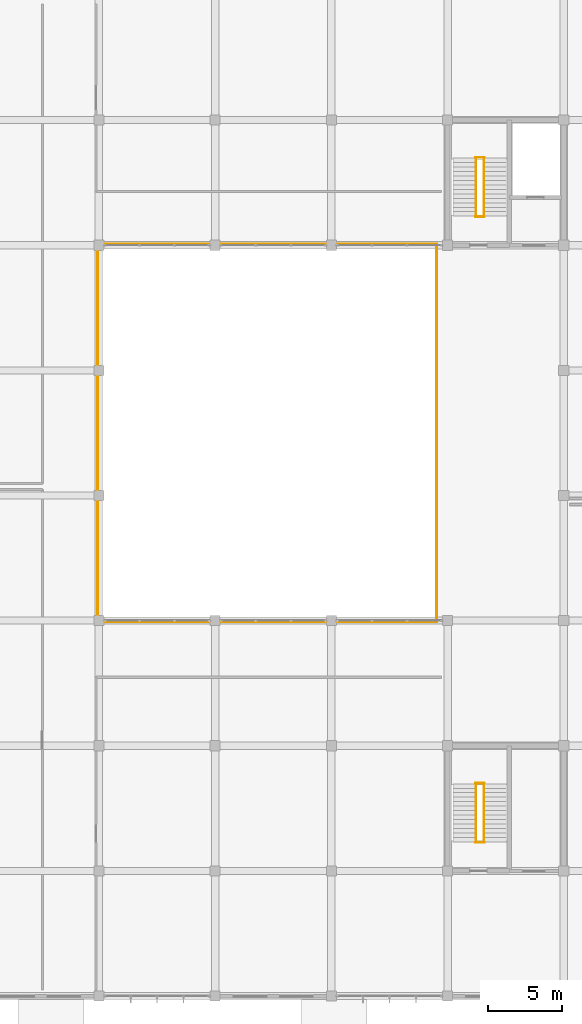
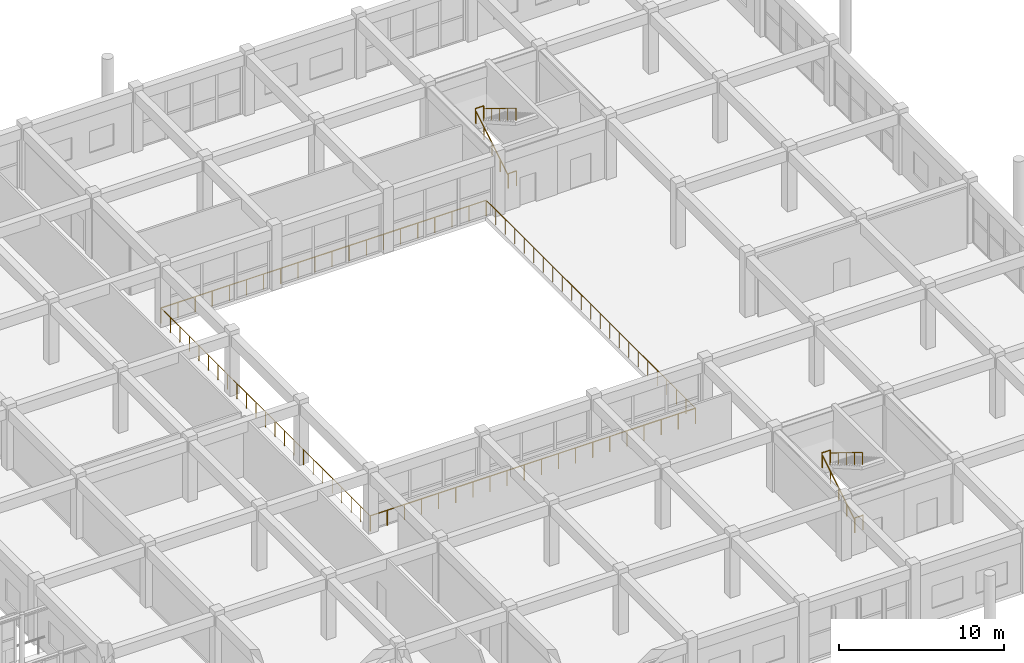
# One storey, part 175 of 175: 12 railings.
"""IFC4 building model written with IfcOpenShell, lengths in metres."""

from ifc_helpers import new_model, si_unit, direction, frame, origin, origin_2d, place, context, subcontext, project, spatial, hollow_rectangle, circle, hollow_circle, extrude, material, material_profile, profile_set, type_object, element, save


model = new_model("IFC4")

# Units and contexts
model_context = context("Model", 3, precision=1e-05, world=origin(), true_north=direction((0.0, 1.0)))
body_context = subcontext(model_context, "Body", "Model", "MODEL_VIEW")
ifc_project = project(units=[si_unit("LENGTHUNIT", "METRE"), si_unit("AREAUNIT", "SQUARE_METRE"), si_unit("VOLUMEUNIT", "CUBIC_METRE"), si_unit("PLANEANGLEUNIT", "RADIAN"), si_unit("MASSUNIT", "GRAM", prefix="KILO")], contexts=[model_context])

# Site, building, storey
site_placement = place(None, origin())
site = spatial("IfcSite", under=ifc_project, at=site_placement, CompositionType="ELEMENT")
building_placement = place(site_placement, origin())
building = spatial("IfcBuilding", under=site, at=building_placement, Name="Zizhar Promenade General Hospital", CompositionType="ELEMENT")
storey_placement = place(building_placement, frame((0.0, 0.0, 4.800048828125)))
storey = spatial("IfcBuildingStorey", under=building, at=storey_placement, Name="L01", CompositionType="ELEMENT", Elevation=4.800048828125)

# Railings
ifc_material_1 = material(Name="Steel S355", Category="steel")
ifc_material_profile_1 = material_profile(ifc_material_1, hollow_rectangle(XDim=0.06005859375, YDim=0.1201171875, WallThickness=0.00390625, at=origin_2d()))
ifc_profile_set_1 = profile_set([ifc_material_profile_1], Name="Steel S355")
railing_type_1 = type_object("IfcRailingType", Name="RL-GUARD-EXT-1150", PredefinedType="GUARDRAIL", material=ifc_profile_set_1)
railing_1_placement = place(storey_placement, frame((148.1201171875, 67.1201171875, 0.0)))
element("IfcRailing", 1, at=railing_1_placement, inside=storey, type_object=railing_type_1, Name="Perimeter Safety Guardrail L01-01", PredefinedType="GUARDRAIL", context=body_context, shape_type="SweptSolid", body=[
    extrude(circle(Radius=0.02392578125, at=origin_2d()), frame((0.0, 0.0, 1.1259765625), z_axis=(1.0, 0.0, 0.0), x_axis=(0.0, 1.0, 0.0)), (0.0, 0.0, 1.0), 22.759765625),
    extrude(circle(Radius=0.02099609375, at=origin_2d()), origin(), (0.0, 0.0, 1.0), 1.101806640625),
    extrude(circle(Radius=0.02099609375, at=origin_2d()), frame((1.197998046875, 0.0, 0.0)), (0.0, 0.0, 1.0), 1.101806640625),
    extrude(circle(Radius=0.02099609375, at=origin_2d()), frame((2.395751953125, 0.0, 0.0)), (0.0, 0.0, 1.0), 1.101806640625),
    extrude(circle(Radius=0.02099609375, at=origin_2d()), frame((3.59375, 0.0, 0.0)), (0.0, 0.0, 1.0), 1.101806640625),
    extrude(circle(Radius=0.02099609375, at=origin_2d()), frame((4.79150390625, 0.0, 0.0)), (0.0, 0.0, 1.0), 1.101806640625),
    extrude(circle(Radius=0.02099609375, at=origin_2d()), frame((5.989501953125, 0.0, 0.0)), (0.0, 0.0, 1.0), 1.101806640625),
    extrude(circle(Radius=0.02099609375, at=origin_2d()), frame((7.187255859375, 0.0, 0.0)), (0.0, 0.0, 1.0), 1.101806640625),
    extrude(circle(Radius=0.02099609375, at=origin_2d()), frame((8.38525390625, 0.0, 0.0)), (0.0, 0.0, 1.0), 1.101806640625),
    extrude(circle(Radius=0.02099609375, at=origin_2d()), frame((9.5830078125, 0.0, 0.0)), (0.0, 0.0, 1.0), 1.101806640625),
    extrude(circle(Radius=0.02099609375, at=origin_2d()), frame((10.781005859375, 0.0, 0.0)), (0.0, 0.0, 1.0), 1.101806640625),
    extrude(circle(Radius=0.02099609375, at=origin_2d()), frame((11.978759765625, 0.0, 0.0)), (0.0, 0.0, 1.0), 1.101806640625),
    extrude(circle(Radius=0.02099609375, at=origin_2d()), frame((13.1767578125, 0.0, 0.0)), (0.0, 0.0, 1.0), 1.101806640625),
    extrude(circle(Radius=0.02099609375, at=origin_2d()), frame((14.37451171875, 0.0, 0.0)), (0.0, 0.0, 1.0), 1.101806640625),
    extrude(circle(Radius=0.02099609375, at=origin_2d()), frame((15.572509765625, 0.0, 0.0)), (0.0, 0.0, 1.0), 1.101806640625),
    extrude(circle(Radius=0.02099609375, at=origin_2d()), frame((16.770263671875, 0.0, 0.0)), (0.0, 0.0, 1.0), 1.101806640625),
    extrude(circle(Radius=0.02099609375, at=origin_2d()), frame((17.96826171875, 0.0, 0.0)), (0.0, 0.0, 1.0), 1.101806640625),
    extrude(circle(Radius=0.02099609375, at=origin_2d()), frame((19.166015625, 0.0, 0.0)), (0.0, 0.0, 1.0), 1.101806640625),
    extrude(circle(Radius=0.02099609375, at=origin_2d()), frame((20.364013671875, 0.0, 0.0)), (0.0, 0.0, 1.0), 1.101806640625),
    extrude(circle(Radius=0.02099609375, at=origin_2d()), frame((21.561767578125, 0.0, 0.0)), (0.0, 0.0, 1.0), 1.101806640625),
    extrude(circle(Radius=0.02099609375, at=origin_2d()), frame((22.759765625, 0.0, 0.0)), (0.0, 0.0, 1.0), 1.101806640625),
])
railing_2_placement = place(storey_placement, frame((170.8798828125, 67.1201171875, 0.0)))
element("IfcRailing", 2, at=railing_2_placement, inside=storey, type_object=railing_type_1, Name="Perimeter Safety Guardrail L01-02", PredefinedType="GUARDRAIL", context=body_context, shape_type="SweptSolid", body=[
    extrude(circle(Radius=0.02392578125, at=origin_2d()), frame((0.0, 0.0, 1.1259765625), z_axis=(0.0, 1.0, 0.0), x_axis=(-1.0, 0.0, 0.0)), (0.0, 0.0, 1.0), 25.35986328125),
    extrude(circle(Radius=0.02099609375, at=origin_2d()), origin(), (0.0, 0.0, 1.0), 1.101806640625),
    extrude(circle(Radius=0.02099609375, at=origin_2d()), frame((0.0, 1.15283203125, 0.0)), (0.0, 0.0, 1.0), 1.101806640625),
    extrude(circle(Radius=0.02099609375, at=origin_2d()), frame((0.0, 2.305419921875, 0.0)), (0.0, 0.0, 1.0), 1.101806640625),
    extrude(circle(Radius=0.02099609375, at=origin_2d()), frame((0.0, 3.458251953125, 0.0)), (0.0, 0.0, 1.0), 1.101806640625),
    extrude(circle(Radius=0.02099609375, at=origin_2d()), frame((0.0, 4.61083984375, 0.0)), (0.0, 0.0, 1.0), 1.101806640625),
    extrude(circle(Radius=0.02099609375, at=origin_2d()), frame((0.0, 5.763671875, 0.0)), (0.0, 0.0, 1.0), 1.101806640625),
    extrude(circle(Radius=0.02099609375, at=origin_2d()), frame((0.0, 6.916259765625, 0.0)), (0.0, 0.0, 1.0), 1.101806640625),
    extrude(circle(Radius=0.02099609375, at=origin_2d()), frame((0.0, 8.069091796875, 0.0)), (0.0, 0.0, 1.0), 1.101806640625),
    extrude(circle(Radius=0.02099609375, at=origin_2d()), frame((0.0, 9.2216796875, 0.0)), (0.0, 0.0, 1.0), 1.101806640625),
    extrude(circle(Radius=0.02099609375, at=origin_2d()), frame((0.0, 10.37451171875, 0.0)), (0.0, 0.0, 1.0), 1.101806640625),
    extrude(circle(Radius=0.02099609375, at=origin_2d()), frame((0.0, 11.527099609375, 0.0)), (0.0, 0.0, 1.0), 1.101806640625),
    extrude(circle(Radius=0.02099609375, at=origin_2d()), frame((0.0, 12.679931640625, 0.0)), (0.0, 0.0, 1.0), 1.101806640625),
    extrude(circle(Radius=0.02099609375, at=origin_2d()), frame((0.0, 13.832763671875, 0.0)), (0.0, 0.0, 1.0), 1.101806640625),
    extrude(circle(Radius=0.02099609375, at=origin_2d()), frame((0.0, 14.9853515625, 0.0)), (0.0, 0.0, 1.0), 1.101806640625),
    extrude(circle(Radius=0.02099609375, at=origin_2d()), frame((0.0, 16.13818359375, 0.0)), (0.0, 0.0, 1.0), 1.101806640625),
    extrude(circle(Radius=0.02099609375, at=origin_2d()), frame((0.0, 17.290771484375, 0.0)), (0.0, 0.0, 1.0), 1.101806640625),
    extrude(circle(Radius=0.02099609375, at=origin_2d()), frame((0.0, 18.443603515625, 0.0)), (0.0, 0.0, 1.0), 1.101806640625),
    extrude(circle(Radius=0.02099609375, at=origin_2d()), frame((0.0, 19.59619140625, 0.0)), (0.0, 0.0, 1.0), 1.101806640625),
    extrude(circle(Radius=0.02099609375, at=origin_2d()), frame((0.0, 20.7490234375, 0.0)), (0.0, 0.0, 1.0), 1.101806640625),
    extrude(circle(Radius=0.02099609375, at=origin_2d()), frame((0.0, 21.901611328125, 0.0)), (0.0, 0.0, 1.0), 1.101806640625),
    extrude(circle(Radius=0.02099609375, at=origin_2d()), frame((0.0, 23.054443359375, 0.0)), (0.0, 0.0, 1.0), 1.101806640625),
    extrude(circle(Radius=0.02099609375, at=origin_2d()), frame((0.0, 24.20703125, 0.0)), (0.0, 0.0, 1.0), 1.101806640625),
    extrude(circle(Radius=0.02099609375, at=origin_2d()), frame((0.0, 25.35986328125, 0.0)), (0.0, 0.0, 1.0), 1.101806640625),
])
railing_3_placement = place(storey_placement, frame((170.8798828125, 92.47998046875, 0.0)))
element("IfcRailing", 3, at=railing_3_placement, inside=storey, type_object=railing_type_1, Name="Perimeter Safety Guardrail L01-03", PredefinedType="GUARDRAIL", context=body_context, shape_type="SweptSolid", body=[
    extrude(circle(Radius=0.02392578125, at=origin_2d()), frame((0.0, 0.0, 1.1259765625), z_axis=(-1.0, 0.0, 0.0), x_axis=(0.0, -1.0, 0.0)), (0.0, 0.0, 1.0), 22.759765625),
    extrude(circle(Radius=0.02099609375, at=origin_2d()), origin(), (0.0, 0.0, 1.0), 1.101806640625),
    extrude(circle(Radius=0.02099609375, at=origin_2d()), frame((-1.197998046875, 0.0, 0.0)), (0.0, 0.0, 1.0), 1.101806640625),
    extrude(circle(Radius=0.02099609375, at=origin_2d()), frame((-2.395751953125, 0.0, 0.0)), (0.0, 0.0, 1.0), 1.101806640625),
    extrude(circle(Radius=0.02099609375, at=origin_2d()), frame((-3.59375, 0.0, 0.0)), (0.0, 0.0, 1.0), 1.101806640625),
    extrude(circle(Radius=0.02099609375, at=origin_2d()), frame((-4.79150390625, 0.0, 0.0)), (0.0, 0.0, 1.0), 1.101806640625),
    extrude(circle(Radius=0.02099609375, at=origin_2d()), frame((-5.989501953125, 0.0, 0.0)), (0.0, 0.0, 1.0), 1.101806640625),
    extrude(circle(Radius=0.02099609375, at=origin_2d()), frame((-7.187255859375, 0.0, 0.0)), (0.0, 0.0, 1.0), 1.101806640625),
    extrude(circle(Radius=0.02099609375, at=origin_2d()), frame((-8.38525390625, 0.0, 0.0)), (0.0, 0.0, 1.0), 1.101806640625),
    extrude(circle(Radius=0.02099609375, at=origin_2d()), frame((-9.5830078125, 0.0, 0.0)), (0.0, 0.0, 1.0), 1.101806640625),
    extrude(circle(Radius=0.02099609375, at=origin_2d()), frame((-10.781005859375, 0.0, 0.0)), (0.0, 0.0, 1.0), 1.101806640625),
    extrude(circle(Radius=0.02099609375, at=origin_2d()), frame((-11.978759765625, 0.0, 0.0)), (0.0, 0.0, 1.0), 1.101806640625),
    extrude(circle(Radius=0.02099609375, at=origin_2d()), frame((-13.1767578125, 0.0, 0.0)), (0.0, 0.0, 1.0), 1.101806640625),
    extrude(circle(Radius=0.02099609375, at=origin_2d()), frame((-14.37451171875, 0.0, 0.0)), (0.0, 0.0, 1.0), 1.101806640625),
    extrude(circle(Radius=0.02099609375, at=origin_2d()), frame((-15.572509765625, 0.0, 0.0)), (0.0, 0.0, 1.0), 1.101806640625),
    extrude(circle(Radius=0.02099609375, at=origin_2d()), frame((-16.770263671875, 0.0, 0.0)), (0.0, 0.0, 1.0), 1.101806640625),
    extrude(circle(Radius=0.02099609375, at=origin_2d()), frame((-17.96826171875, 0.0, 0.0)), (0.0, 0.0, 1.0), 1.101806640625),
    extrude(circle(Radius=0.02099609375, at=origin_2d()), frame((-19.166015625, 0.0, 0.0)), (0.0, 0.0, 1.0), 1.101806640625),
    extrude(circle(Radius=0.02099609375, at=origin_2d()), frame((-20.364013671875, 0.0, 0.0)), (0.0, 0.0, 1.0), 1.101806640625),
    extrude(circle(Radius=0.02099609375, at=origin_2d()), frame((-21.561767578125, 0.0, 0.0)), (0.0, 0.0, 1.0), 1.101806640625),
    extrude(circle(Radius=0.02099609375, at=origin_2d()), frame((-22.759765625, 0.0, 0.0)), (0.0, 0.0, 1.0), 1.101806640625),
])
railing_4_placement = place(storey_placement, frame((148.1201171875, 92.47998046875, 0.0)))
element("IfcRailing", 4, at=railing_4_placement, inside=storey, type_object=railing_type_1, Name="Perimeter Safety Guardrail L01-04", PredefinedType="GUARDRAIL", context=body_context, shape_type="SweptSolid", body=[
    extrude(circle(Radius=0.02392578125, at=origin_2d()), frame((0.0, 0.0, 1.1259765625), z_axis=(0.0, -1.0, 0.0), x_axis=(1.0, 0.0, 0.0)), (0.0, 0.0, 1.0), 25.35986328125),
    extrude(circle(Radius=0.02099609375, at=origin_2d()), origin(), (0.0, 0.0, 1.0), 1.101806640625),
    extrude(circle(Radius=0.02099609375, at=origin_2d()), frame((0.0, -1.15283203125, 0.0)), (0.0, 0.0, 1.0), 1.101806640625),
    extrude(circle(Radius=0.02099609375, at=origin_2d()), frame((0.0, -2.305419921875, 0.0)), (0.0, 0.0, 1.0), 1.101806640625),
    extrude(circle(Radius=0.02099609375, at=origin_2d()), frame((0.0, -3.458251953125, 0.0)), (0.0, 0.0, 1.0), 1.101806640625),
    extrude(circle(Radius=0.02099609375, at=origin_2d()), frame((0.0, -4.61083984375, 0.0)), (0.0, 0.0, 1.0), 1.101806640625),
    extrude(circle(Radius=0.02099609375, at=origin_2d()), frame((0.0, -5.763671875, 0.0)), (0.0, 0.0, 1.0), 1.101806640625),
    extrude(circle(Radius=0.02099609375, at=origin_2d()), frame((0.0, -6.916259765625, 0.0)), (0.0, 0.0, 1.0), 1.101806640625),
    extrude(circle(Radius=0.02099609375, at=origin_2d()), frame((0.0, -8.069091796875, 0.0)), (0.0, 0.0, 1.0), 1.101806640625),
    extrude(circle(Radius=0.02099609375, at=origin_2d()), frame((0.0, -9.2216796875, 0.0)), (0.0, 0.0, 1.0), 1.101806640625),
    extrude(circle(Radius=0.02099609375, at=origin_2d()), frame((0.0, -10.37451171875, 0.0)), (0.0, 0.0, 1.0), 1.101806640625),
    extrude(circle(Radius=0.02099609375, at=origin_2d()), frame((0.0, -11.527099609375, 0.0)), (0.0, 0.0, 1.0), 1.101806640625),
    extrude(circle(Radius=0.02099609375, at=origin_2d()), frame((0.0, -12.679931640625, 0.0)), (0.0, 0.0, 1.0), 1.101806640625),
    extrude(circle(Radius=0.02099609375, at=origin_2d()), frame((0.0, -13.832763671875, 0.0)), (0.0, 0.0, 1.0), 1.101806640625),
    extrude(circle(Radius=0.02099609375, at=origin_2d()), frame((0.0, -14.9853515625, 0.0)), (0.0, 0.0, 1.0), 1.101806640625),
    extrude(circle(Radius=0.02099609375, at=origin_2d()), frame((0.0, -16.13818359375, 0.0)), (0.0, 0.0, 1.0), 1.101806640625),
    extrude(circle(Radius=0.02099609375, at=origin_2d()), frame((0.0, -17.290771484375, 0.0)), (0.0, 0.0, 1.0), 1.101806640625),
    extrude(circle(Radius=0.02099609375, at=origin_2d()), frame((0.0, -18.443603515625, 0.0)), (0.0, 0.0, 1.0), 1.101806640625),
    extrude(circle(Radius=0.02099609375, at=origin_2d()), frame((0.0, -19.59619140625, 0.0)), (0.0, 0.0, 1.0), 1.101806640625),
    extrude(circle(Radius=0.02099609375, at=origin_2d()), frame((0.0, -20.7490234375, 0.0)), (0.0, 0.0, 1.0), 1.101806640625),
    extrude(circle(Radius=0.02099609375, at=origin_2d()), frame((0.0, -21.901611328125, 0.0)), (0.0, 0.0, 1.0), 1.101806640625),
    extrude(circle(Radius=0.02099609375, at=origin_2d()), frame((0.0, -23.054443359375, 0.0)), (0.0, 0.0, 1.0), 1.101806640625),
    extrude(circle(Radius=0.02099609375, at=origin_2d()), frame((0.0, -24.20703125, 0.0)), (0.0, 0.0, 1.0), 1.101806640625),
    extrude(circle(Radius=0.02099609375, at=origin_2d()), frame((0.0, -25.35986328125, 0.0)), (0.0, 0.0, 1.0), 1.101806640625),
])
ifc_material_2 = material(Name="Anodised aluminium 6063-T6", Category="aluminium")
ifc_material_profile_2 = material_profile(ifc_material_2, hollow_circle(Radius=0.06982421875, WallThickness=0.00634765625, at=origin_2d()))
ifc_profile_set_2 = profile_set([ifc_material_profile_2], Name="Anodised aluminium 6063-T6")
railing_type_2 = type_object("IfcRailingType", Name="RL-HANDRAIL-920", PredefinedType="HANDRAIL", material=ifc_profile_set_2)
railing_5_placement = place(storey_placement, frame((173.5, 94.35009765625, 0.0)))
element("IfcRailing", 5, at=railing_5_placement, inside=storey, type_object=railing_type_2, Name="Stair ST-08 Flight 1 Handrail (L01)", PredefinedType="HANDRAIL", context=body_context, shape_type="SweptSolid", body=[
    extrude(circle(Radius=0.02392578125, at=origin_2d()), frame((0.0, 0.0, 0.89599609375), z_axis=(0.0, 0.851661977835, 0.524091476281), x_axis=(-1.0, 0.0, 0.0)), (0.0, 0.0, 1.0), 4.5791015625),
    extrude(circle(Radius=0.02099609375, at=origin_2d()), origin(), (0.0, 0.0, 1.0), 0.871826171875),
    extrude(circle(Radius=0.02099609375, at=origin_2d()), frame((0.0, 0.97509765625, 0.60009765625)), (0.0, 0.0, 1.0), 0.871826171875),
    extrude(circle(Radius=0.02099609375, at=origin_2d()), frame((0.0, 1.949951171875, 1.199951171875)), (0.0, 0.0, 1.0), 0.871826171875),
    extrude(circle(Radius=0.02099609375, at=origin_2d()), frame((0.0, 2.9248046875, 1.7998046875)), (0.0, 0.0, 1.0), 0.871826171875),
    extrude(circle(Radius=0.02099609375, at=origin_2d()), frame((0.0, 3.89990234375, 2.39990234375)), (0.0, 0.0, 1.0), 0.871826171875),
])
railing_6_placement = place(storey_placement, frame((174.0400390625, 98.25, 2.39990234375)))
element("IfcRailing", 6, at=railing_6_placement, inside=storey, type_object=railing_type_2, Name="Stair ST-08 Flight 2 Handrail (L01)", PredefinedType="HANDRAIL", context=body_context, shape_type="SweptSolid", body=[
    extrude(circle(Radius=0.02392578125, at=origin_2d()), frame((0.0, 0.0, 0.89599609375), z_axis=(0.0, -0.851638180308, 0.5241301459), x_axis=(1.0, 0.0, 0.0)), (0.0, 0.0, 1.0), 4.579345703125),
    extrude(circle(Radius=0.02099609375, at=origin_2d()), origin(), (0.0, 0.0, 1.0), 0.871826171875),
    extrude(circle(Radius=0.02099609375, at=origin_2d()), frame((0.0, -0.97509765625, 0.60009765625)), (0.0, 0.0, 1.0), 0.871826171875),
    extrude(circle(Radius=0.02099609375, at=origin_2d()), frame((0.0, -1.949951171875, 1.2001953125)), (0.0, 0.0, 1.0), 0.871826171875),
    extrude(circle(Radius=0.02099609375, at=origin_2d()), frame((0.0, -2.9248046875, 1.800048828125)), (0.0, 0.0, 1.0), 0.871826171875),
    extrude(circle(Radius=0.02099609375, at=origin_2d()), frame((0.0, -3.89990234375, 2.400146484375)), (0.0, 0.0, 1.0), 0.871826171875),
])
railing_7_placement = place(storey_placement, frame((173.5, 52.35009765625, 0.0)))
element("IfcRailing", 7, at=railing_7_placement, inside=storey, type_object=railing_type_2, Name="Stair ST-09 Flight 1 Handrail (L01)", PredefinedType="HANDRAIL", context=body_context, shape_type="SweptSolid", body=[
    extrude(circle(Radius=0.02392578125, at=origin_2d()), frame((0.0, 0.0, 0.89599609375), z_axis=(0.0, 0.851661977835, 0.524091476281), x_axis=(-1.0, 0.0, 0.0)), (0.0, 0.0, 1.0), 4.5791015625),
    extrude(circle(Radius=0.02099609375, at=origin_2d()), origin(), (0.0, 0.0, 1.0), 0.871826171875),
    extrude(circle(Radius=0.02099609375, at=origin_2d()), frame((0.0, 0.97509765625, 0.60009765625)), (0.0, 0.0, 1.0), 0.871826171875),
    extrude(circle(Radius=0.02099609375, at=origin_2d()), frame((0.0, 1.949951171875, 1.199951171875)), (0.0, 0.0, 1.0), 0.871826171875),
    extrude(circle(Radius=0.02099609375, at=origin_2d()), frame((0.0, 2.9248046875, 1.7998046875)), (0.0, 0.0, 1.0), 0.871826171875),
    extrude(circle(Radius=0.02099609375, at=origin_2d()), frame((0.0, 3.89990234375, 2.39990234375)), (0.0, 0.0, 1.0), 0.871826171875),
])
railing_8_placement = place(storey_placement, frame((174.0400390625, 56.25, 2.39990234375)))
element("IfcRailing", 8, at=railing_8_placement, inside=storey, type_object=railing_type_2, Name="Stair ST-09 Flight 2 Handrail (L01)", PredefinedType="HANDRAIL", context=body_context, shape_type="SweptSolid", body=[
    extrude(circle(Radius=0.02392578125, at=origin_2d()), frame((0.0, 0.0, 0.89599609375), z_axis=(0.0, -0.851638180308, 0.5241301459), x_axis=(1.0, 0.0, 0.0)), (0.0, 0.0, 1.0), 4.579345703125),
    extrude(circle(Radius=0.02099609375, at=origin_2d()), origin(), (0.0, 0.0, 1.0), 0.871826171875),
    extrude(circle(Radius=0.02099609375, at=origin_2d()), frame((0.0, -0.97509765625, 0.60009765625)), (0.0, 0.0, 1.0), 0.871826171875),
    extrude(circle(Radius=0.02099609375, at=origin_2d()), frame((0.0, -1.949951171875, 1.2001953125)), (0.0, 0.0, 1.0), 0.871826171875),
    extrude(circle(Radius=0.02099609375, at=origin_2d()), frame((0.0, -2.9248046875, 1.800048828125)), (0.0, 0.0, 1.0), 0.871826171875),
    extrude(circle(Radius=0.02099609375, at=origin_2d()), frame((0.0, -3.89990234375, 2.400146484375)), (0.0, 0.0, 1.0), 0.871826171875),
])
ifc_material_3 = material(Name="Steel S355", Category="steel")
ifc_material_profile_3 = material_profile(ifc_material_3, hollow_circle(Radius=0.06982421875, WallThickness=0.00634765625, at=origin_2d()))
ifc_profile_set_3 = profile_set([ifc_material_profile_3], Name="Steel S355")
railing_type_3 = type_object("IfcRailingType", Name="RL-STAIR-GUARD-1100", PredefinedType="GUARDRAIL", material=ifc_profile_set_3)
for number, where, name in (
    (9, (173.47998046875, 98.2900390625, 2.39990234375), "Stair ST-08 Half-Landing Guard (L01)"),
    (10, (173.47998046875, 94.31005859375, 0.0), "Stair ST-08 Landing Well Guard (L01)"),
    (11, (173.47998046875, 56.2900390625, 2.39990234375), "Stair ST-09 Half-Landing Guard (L01)"),
    (12, (173.47998046875, 52.31005859375, 0.0), "Stair ST-09 Landing Well Guard (L01)"),
):
    element("IfcRailing", number, at=place(storey_placement, frame(where)), inside=storey, type_object=railing_type_3, Name=name, PredefinedType="GUARDRAIL", context=body_context, shape_type="SweptSolid", body=[
        extrude(circle(Radius=0.02392578125, at=origin_2d()), frame((0.0, 0.0, 1.076171875), z_axis=(1.0, 0.0, 0.0), x_axis=(0.0, 1.0, 0.0)), (0.0, 0.0, 1.0), 0.580078125),
        extrude(circle(Radius=0.02099609375, at=origin_2d()), origin(), (0.0, 0.0, 1.0), 1.052001953125),
        extrude(circle(Radius=0.02099609375, at=origin_2d()), frame((0.580078125, 0.0, 0.0)), (0.0, 0.0, 1.0), 1.052001953125),
    ])

save(model, "model.ifc")
